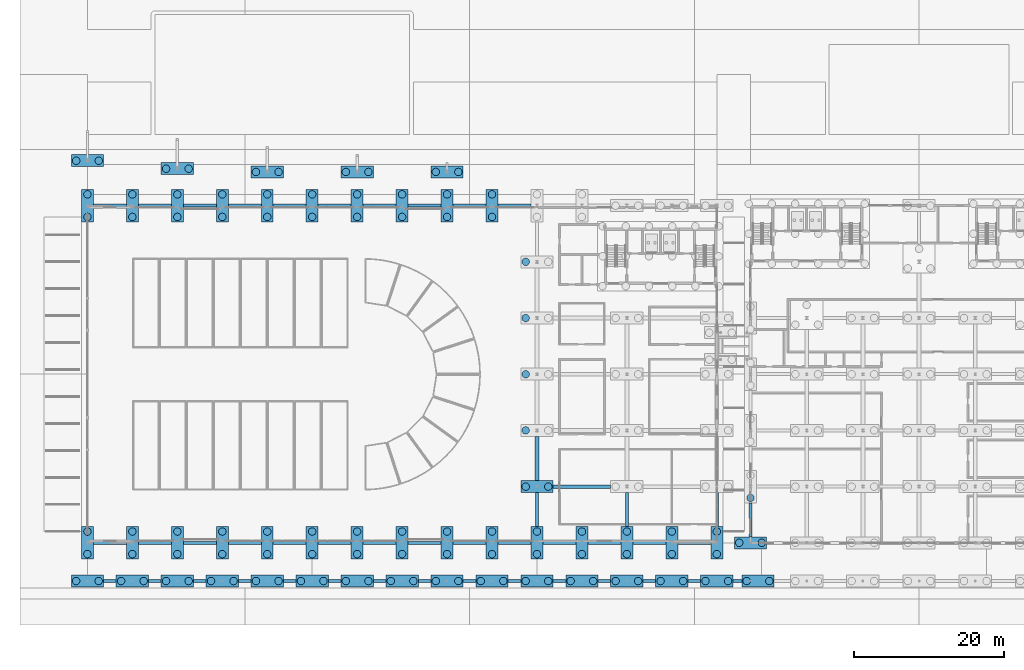
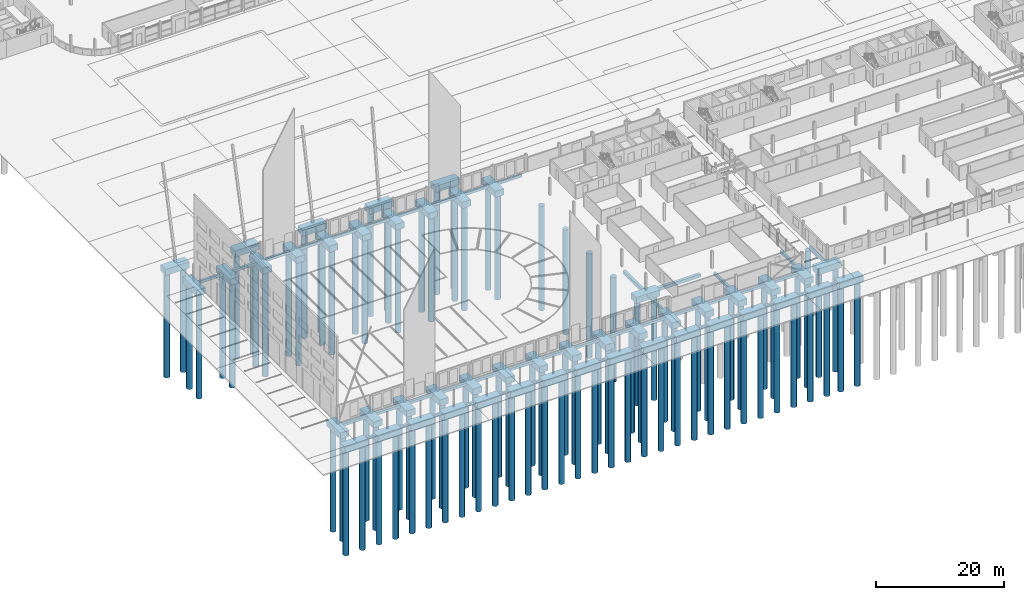
# One storey, part 1 of 130: 101 piles, 93 footings.
"""IFC4 building model written with IfcOpenShell, lengths in metres."""

from ifc_helpers import new_model, si_unit, direction, frame, origin, origin_2d, place, context, subcontext, project, spatial, rectangle, circle, extrude, material, material_profile, profile_set, type_object, element, save


model = new_model("IFC4")

# Units and contexts
model_context = context("Model", 3, precision=1e-05, world=origin(), true_north=direction((0.0, 1.0)))
body_context = subcontext(model_context, "Body", "Model", "MODEL_VIEW")
ifc_project = project(units=[si_unit("LENGTHUNIT", "METRE"), si_unit("AREAUNIT", "SQUARE_METRE"), si_unit("VOLUMEUNIT", "CUBIC_METRE"), si_unit("PLANEANGLEUNIT", "RADIAN"), si_unit("MASSUNIT", "GRAM", prefix="KILO")], contexts=[model_context])

# Site, building, storey
site_placement = place(None, origin())
site = spatial("IfcSite", under=ifc_project, at=site_placement, CompositionType="ELEMENT")
building_placement = place(site_placement, origin())
building = spatial("IfcBuilding", under=site, at=building_placement, Name="Parallax Yard Mobility Hub", CompositionType="ELEMENT")
storey_placement = place(building_placement, origin())
storey = spatial("IfcBuildingStorey", under=building, at=storey_placement, Name="L00", CompositionType="ELEMENT", Elevation=0.0)

# Piles
ifc_material = material(Name="Concrete fc' 28 MPa", Category="concrete")
ifc_material_profile_1 = material_profile(ifc_material, circle(Radius=0.5, at=origin_2d()), Name="Bored pile D1000")
ifc_profile_set_1 = profile_set([ifc_material_profile_1], Name="Concrete fc' 28 MPa")
pile_type = type_object("IfcPileType", Name="Bored pile D1000", PredefinedType="BORED", material=ifc_profile_set_1)
for number, where, z_axis, x_axis, name in (
    (1, (9.0, 5.9951171875, -1.35009765625), (0.0, 0.0, -1.0), (1.0, 0.0, 0.0), "Bored pile 1 of PC1 under column V1 at F1/B"),
    (2, (9.0, 9.0048828125, -1.35009765625), (0.0, 0.0, -1.0), (1.0, 0.0, 0.0), "Bored pile 2 of PC1 under column V1 at F1/B"),
    (3, (9.0, 50.9951171875, -1.35009765625), (0.0, 0.0, -1.0), (1.0, 0.0, 0.0), "Bored pile 1 of PC1 under column V1 at F1/H"),
    (4, (9.0, 54.0048828125, -1.35009765625), (0.0, 0.0, -1.0), (1.0, 0.0, 0.0), "Bored pile 2 of PC1 under column V1 at F1/H"),
    (5, (63.0, 5.9951171875, -1.35009765625), (0.0, 0.0, -1.0), (1.0, 0.0, 0.0), "Bored pile 1 of PC1 under column V1 at F10/B"),
    (6, (63.0, 9.0048828125, -1.35009765625), (0.0, 0.0, -1.0), (1.0, 0.0, 0.0), "Bored pile 2 of PC1 under column V1 at F10/B"),
    (7, (63.0, 50.9951171875, -1.35009765625), (0.0, 0.0, -1.0), (1.0, 0.0, 0.0), "Bored pile 1 of PC1 under column V1 at F10/H"),
    (8, (63.0, 54.0048828125, -1.35009765625), (0.0, 0.0, -1.0), (1.0, 0.0, 0.0), "Bored pile 2 of PC1 under column V1 at F10/H"),
    (9, (69.0, 5.9951171875, -1.35009765625), (0.0, 0.0, -1.0), (1.0, 0.0, 0.0), "Bored pile 1 of PC1 under column V1 at F11/B"),
    (10, (69.0, 9.0048828125, -1.35009765625), (0.0, 0.0, -1.0), (1.0, 0.0, 0.0), "Bored pile 2 of PC1 under column V1 at F11/B"),
    (11, (67.4951171875, 15.0, -1.35009765625), (0.0, 0.0, -1.0), (1.0, 0.0, 0.0), "Bored pile 1 of PC1 under column V1 at F11/C"),
    (12, (70.5048828125, 15.0, -1.35009765625), (0.0, 0.0, -1.0), (1.0, 0.0, 0.0), "Bored pile 2 of PC1 under column V1 at F11/C"),
    (13, (67.4951171875, 22.5, -1.35009765625), (0.0, 0.0, -1.0), (1.0, 0.0, 0.0), "Bored pile 1 of PC1 under column V1 at F11/D"),
    (14, (67.4951171875, 30.0, -1.35009765625), (0.0, 0.0, -1.0), (1.0, 0.0, 0.0), "Bored pile 1 of PC1 under column V1 at F11/E"),
    (15, (67.4951171875, 37.5, -1.35009765625), (0.0, 0.0, -1.0), (1.0, 0.0, 0.0), "Bored pile 1 of PC1 under column V1 at F11/F"),
    (16, (67.4951171875, 45.0, -1.35009765625), (0.0, 0.0, -1.0), (1.0, 0.0, 0.0), "Bored pile 1 of PC1 under column V1 at F11/G"),
    (17, (75.0, 5.9951171875, -1.35009765625), (0.0, 0.0, -1.0), (1.0, 0.0, 0.0), "Bored pile 1 of PC1 under column V1 at F12/B"),
    (18, (75.0, 9.0048828125, -1.35009765625), (0.0, 0.0, -1.0), (1.0, 0.0, 0.0), "Bored pile 2 of PC1 under column V1 at F12/B"),
    (19, (81.0, 5.9951171875, -1.35009765625), (0.0, 0.0, -1.0), (1.0, 0.0, 0.0), "Bored pile 1 of PC1 under column V1 at F13/B"),
    (20, (81.0, 9.0048828125, -1.35009765625), (0.0, 0.0, -1.0), (1.0, 0.0, 0.0), "Bored pile 2 of PC1 under column V1 at F13/B"),
    (21, (87.0, 5.9951171875, -1.35009765625), (0.0, 0.0, -1.0), (1.0, 0.0, 0.0), "Bored pile 1 of PC1 under column V1 at F14/B"),
    (22, (87.0, 9.0048828125, -1.35009765625), (0.0, 0.0, -1.0), (1.0, 0.0, 0.0), "Bored pile 2 of PC1 under column V1 at F14/B"),
    (23, (93.0, 5.9951171875, -1.35009765625), (0.0, 0.0, -1.0), (1.0, 0.0, 0.0), "Bored pile 1 of PC1 under column V1 at F15/B"),
    (24, (93.0, 9.0048828125, -1.35009765625), (0.0, 0.0, -1.0), (1.0, 0.0, 0.0), "Bored pile 2 of PC1 under column V1 at F15/B"),
    (25, (15.0, 5.9951171875, -1.35009765625), (0.0, 0.0, -1.0), (1.0, 0.0, 0.0), "Bored pile 1 of PC1 under column V1 at F2/B"),
    (26, (15.0, 9.0048828125, -1.35009765625), (0.0, 0.0, -1.0), (1.0, 0.0, 0.0), "Bored pile 2 of PC1 under column V1 at F2/B"),
    (27, (15.0, 50.9951171875, -1.35009765625), (0.0, 0.0, -1.0), (1.0, 0.0, 0.0), "Bored pile 1 of PC1 under column V1 at F2/H"),
    (28, (15.0, 54.0048828125, -1.35009765625), (0.0, 0.0, -1.0), (1.0, 0.0, 0.0), "Bored pile 2 of PC1 under column V1 at F2/H"),
    (29, (21.0, 5.9951171875, -1.35009765625), (0.0, 0.0, -1.0), (1.0, 0.0, 0.0), "Bored pile 1 of PC1 under column V1 at F3/B"),
    (30, (21.0, 9.0048828125, -1.35009765625), (0.0, 0.0, -1.0), (1.0, 0.0, 0.0), "Bored pile 2 of PC1 under column V1 at F3/B"),
    (31, (21.0, 50.9951171875, -1.35009765625), (0.0, 0.0, -1.0), (1.0, 0.0, 0.0), "Bored pile 1 of PC1 under column V1 at F3/H"),
    (32, (21.0, 54.0048828125, -1.35009765625), (0.0, 0.0, -1.0), (1.0, 0.0, 0.0), "Bored pile 2 of PC1 under column V1 at F3/H"),
    (33, (27.0, 5.9951171875, -1.35009765625), (0.0, 0.0, -1.0), (1.0, 0.0, 0.0), "Bored pile 1 of PC1 under column V1 at F4/B"),
    (34, (27.0, 9.0048828125, -1.35009765625), (0.0, 0.0, -1.0), (1.0, 0.0, 0.0), "Bored pile 2 of PC1 under column V1 at F4/B"),
    (35, (27.0, 50.9951171875, -1.35009765625), (0.0, 0.0, -1.0), (1.0, 0.0, 0.0), "Bored pile 1 of PC1 under column V1 at F4/H"),
    (36, (27.0, 54.0048828125, -1.35009765625), (0.0, 0.0, -1.0), (1.0, 0.0, 0.0), "Bored pile 2 of PC1 under column V1 at F4/H"),
    (37, (33.0, 5.9951171875, -1.35009765625), (0.0, 0.0, -1.0), (1.0, 0.0, 0.0), "Bored pile 1 of PC1 under column V1 at F5/B"),
    (38, (33.0, 9.0048828125, -1.35009765625), (0.0, 0.0, -1.0), (1.0, 0.0, 0.0), "Bored pile 2 of PC1 under column V1 at F5/B"),
    (39, (33.0, 50.9951171875, -1.35009765625), (0.0, 0.0, -1.0), (1.0, 0.0, 0.0), "Bored pile 1 of PC1 under column V1 at F5/H"),
    (40, (33.0, 54.0048828125, -1.35009765625), (0.0, 0.0, -1.0), (1.0, 0.0, 0.0), "Bored pile 2 of PC1 under column V1 at F5/H"),
    (41, (39.0, 5.9951171875, -1.35009765625), (0.0, 0.0, -1.0), (1.0, 0.0, 0.0), "Bored pile 1 of PC1 under column V1 at F6/B"),
    (42, (39.0, 9.0048828125, -1.35009765625), (0.0, 0.0, -1.0), (1.0, 0.0, 0.0), "Bored pile 2 of PC1 under column V1 at F6/B"),
    (43, (39.0, 50.9951171875, -1.35009765625), (0.0, 0.0, -1.0), (1.0, 0.0, 0.0), "Bored pile 1 of PC1 under column V1 at F6/H"),
    (44, (39.0, 54.0048828125, -1.35009765625), (0.0, 0.0, -1.0), (1.0, 0.0, 0.0), "Bored pile 2 of PC1 under column V1 at F6/H"),
    (45, (45.0, 5.9951171875, -1.35009765625), (0.0, 0.0, -1.0), (1.0, 0.0, 0.0), "Bored pile 1 of PC1 under column V1 at F7/B"),
    (46, (45.0, 9.0048828125, -1.35009765625), (0.0, 0.0, -1.0), (1.0, 0.0, 0.0), "Bored pile 2 of PC1 under column V1 at F7/B"),
    (47, (45.0, 50.9951171875, -1.35009765625), (0.0, 0.0, -1.0), (1.0, 0.0, 0.0), "Bored pile 1 of PC1 under column V1 at F7/H"),
    (48, (45.0, 54.0048828125, -1.35009765625), (0.0, 0.0, -1.0), (1.0, 0.0, 0.0), "Bored pile 2 of PC1 under column V1 at F7/H"),
    (49, (51.0, 5.9951171875, -1.35009765625), (0.0, 0.0, -1.0), (1.0, 0.0, 0.0), "Bored pile 1 of PC1 under column V1 at F8/B"),
    (50, (51.0, 9.0048828125, -1.35009765625), (0.0, 0.0, -1.0), (1.0, 0.0, 0.0), "Bored pile 2 of PC1 under column V1 at F8/B"),
    (51, (51.0, 50.9951171875, -1.35009765625), (0.0, 0.0, -1.0), (1.0, 0.0, 0.0), "Bored pile 1 of PC1 under column V1 at F8/H"),
    (52, (51.0, 54.0048828125, -1.35009765625), (0.0, 0.0, -1.0), (1.0, 0.0, 0.0), "Bored pile 2 of PC1 under column V1 at F8/H"),
    (53, (57.0, 5.9951171875, -1.35009765625), (0.0, 0.0, -1.0), (1.0, 0.0, 0.0), "Bored pile 1 of PC1 under column V1 at F9/B"),
    (54, (57.0, 9.0048828125, -1.35009765625), (0.0, 0.0, -1.0), (1.0, 0.0, 0.0), "Bored pile 2 of PC1 under column V1 at F9/B"),
    (55, (57.0, 50.9951171875, -1.35009765625), (0.0, 0.0, -1.0), (1.0, 0.0, 0.0), "Bored pile 1 of PC1 under column V1 at F9/H"),
    (56, (57.0, 54.0048828125, -1.35009765625), (0.0, 0.0, -1.0), (1.0, 0.0, 0.0), "Bored pile 2 of PC1 under column V1 at F9/H"),
    (57, (95.9951171875, 7.5, -1.35009765625), (0.0, 0.0, -1.0), (1.0, 0.0, 0.0), "Bored pile 1 of PC1 under column V6 at B/14"),
    (58, (99.0048828125, 7.5, -1.35009765625), (0.0, 0.0, -1.0), (1.0, 0.0, 0.0), "Bored pile 2 of PC1 under column V6 at B/14"),
    (59, (97.5, 13.4951171875, -1.35009765625), (0.0, 0.0, -1.0), (1.0, 0.0, 0.0), "Bored pile 1 of PC1 under column V6 at C/14"),
    (60, (7.4951171875, 2.39990234375, -1.35009765625), (0.0, 0.0, -1.0), (1.0, 0.0, 0.0), "Bored pile 1 of PC1 under column RT at AR-V1-C01-L00"),
    (61, (10.5048828125, 2.39990234375, -1.35009765625), (0.0, 0.0, -1.0), (1.0, 0.0, 0.0), "Bored pile 2 of PC1 under column RT at AR-V1-C01-L00"),
    (62, (13.4951171875, 2.39990234375, -1.35009765625), (0.0, 0.0, -1.0), (1.0, 0.0, 0.0), "Bored pile 1 of PC1 under column RT at AR-V1-C02-L00"),
    (63, (16.5048828125, 2.39990234375, -1.35009765625), (0.0, 0.0, -1.0), (1.0, 0.0, 0.0), "Bored pile 2 of PC1 under column RT at AR-V1-C02-L00"),
    (64, (19.4951171875, 2.39990234375, -1.35009765625), (0.0, 0.0, -1.0), (1.0, 0.0, 0.0), "Bored pile 1 of PC1 under column RT at AR-V1-C03-L00"),
    (65, (22.5048828125, 2.39990234375, -1.35009765625), (0.0, 0.0, -1.0), (1.0, 0.0, 0.0), "Bored pile 2 of PC1 under column RT at AR-V1-C03-L00"),
    (66, (25.4951171875, 2.39990234375, -1.35009765625), (0.0, 0.0, -1.0), (1.0, 0.0, 0.0), "Bored pile 1 of PC1 under column RT at AR-V1-C04-L00"),
    (67, (28.5048828125, 2.39990234375, -1.35009765625), (0.0, 0.0, -1.0), (1.0, 0.0, 0.0), "Bored pile 2 of PC1 under column RT at AR-V1-C04-L00"),
    (68, (31.4951171875, 2.39990234375, -1.35009765625), (0.0, 0.0, -1.0), (1.0, 0.0, 0.0), "Bored pile 1 of PC1 under column RT at AR-V1-C05-L00"),
    (69, (34.5048828125, 2.39990234375, -1.35009765625), (0.0, 0.0, -1.0), (1.0, 0.0, 0.0), "Bored pile 2 of PC1 under column RT at AR-V1-C05-L00"),
    (70, (37.4951171875, 2.39990234375, -1.35009765625), (0.0, 0.0, -1.0), (1.0, 0.0, 0.0), "Bored pile 1 of PC1 under column RT at AR-V1-C06-L00"),
    (71, (40.5048828125, 2.39990234375, -1.35009765625), (0.0, 0.0, -1.0), (1.0, 0.0, 0.0), "Bored pile 2 of PC1 under column RT at AR-V1-C06-L00"),
    (72, (43.4951171875, 2.39990234375, -1.35009765625), (0.0, 0.0, -1.0), (1.0, 0.0, 0.0), "Bored pile 1 of PC1 under column RT at AR-V1-C07-L00"),
    (73, (46.5048828125, 2.39990234375, -1.35009765625), (0.0, 0.0, -1.0), (1.0, 0.0, 0.0), "Bored pile 2 of PC1 under column RT at AR-V1-C07-L00"),
    (74, (49.4951171875, 2.39990234375, -1.35009765625), (0.0, 0.0, -1.0), (1.0, 0.0, 0.0), "Bored pile 1 of PC1 under column RT at AR-V1-C08-L00"),
    (75, (52.5048828125, 2.39990234375, -1.35009765625), (0.0, 0.0, -1.0), (1.0, 0.0, 0.0), "Bored pile 2 of PC1 under column RT at AR-V1-C08-L00"),
    (76, (55.4951171875, 2.39990234375, -1.35009765625), (0.0, 0.0, -1.0), (1.0, 0.0, 0.0), "Bored pile 1 of PC1 under column RT at AR-V1-C09-L00"),
    (77, (58.5048828125, 2.39990234375, -1.35009765625), (0.0, 0.0, -1.0), (1.0, 0.0, 0.0), "Bored pile 2 of PC1 under column RT at AR-V1-C09-L00"),
    (78, (61.4951171875, 2.39990234375, -1.35009765625), (0.0, 0.0, -1.0), (1.0, 0.0, 0.0), "Bored pile 1 of PC1 under column RT at AR-V1-C10-L00"),
    (79, (64.5048828125, 2.39990234375, -1.35009765625), (0.0, 0.0, -1.0), (1.0, 0.0, 0.0), "Bored pile 2 of PC1 under column RT at AR-V1-C10-L00"),
    (80, (67.4951171875, 2.39990234375, -1.35009765625), (0.0, 0.0, -1.0), (1.0, 0.0, 0.0), "Bored pile 1 of PC1 under column RT at AR-V1-C11-L00"),
    (81, (70.5048828125, 2.39990234375, -1.35009765625), (0.0, 0.0, -1.0), (1.0, 0.0, 0.0), "Bored pile 2 of PC1 under column RT at AR-V1-C11-L00"),
    (82, (73.4951171875, 2.39990234375, -1.35009765625), (0.0, 0.0, -1.0), (1.0, 0.0, 0.0), "Bored pile 1 of PC1 under column RT at AR-V1-C12-L00"),
    (83, (76.5048828125, 2.39990234375, -1.35009765625), (0.0, 0.0, -1.0), (1.0, 0.0, 0.0), "Bored pile 2 of PC1 under column RT at AR-V1-C12-L00"),
    (84, (79.4951171875, 2.39990234375, -1.35009765625), (0.0, 0.0, -1.0), (1.0, 0.0, 0.0), "Bored pile 1 of PC1 under column RT at AR-V1-C13-L00"),
    (85, (82.5048828125, 2.39990234375, -1.35009765625), (0.0, 0.0, -1.0), (1.0, 0.0, 0.0), "Bored pile 2 of PC1 under column RT at AR-V1-C13-L00"),
    (86, (85.4951171875, 2.39990234375, -1.35009765625), (0.0, 0.0, -1.0), (1.0, 0.0, 0.0), "Bored pile 1 of PC1 under column RT at AR-V1-C14-L00"),
    (87, (88.5048828125, 2.39990234375, -1.35009765625), (0.0, 0.0, -1.0), (1.0, 0.0, 0.0), "Bored pile 2 of PC1 under column RT at AR-V1-C14-L00"),
    (88, (91.4951171875, 2.39990234375, -1.35009765625), (0.0, 0.0, -1.0), (1.0, 0.0, 0.0), "Bored pile 1 of PC1 under column RT at AR-V1-C15-L00"),
    (89, (94.5048828125, 2.39990234375, -1.35009765625), (0.0, 0.0, -1.0), (1.0, 0.0, 0.0), "Bored pile 2 of PC1 under column RT at AR-V1-C15-L00"),
    (90, (96.9951171875, 2.39990234375, -1.35009765625), (0.0, 0.0, -1.0), (1.0, 0.0, 0.0), "Bored pile 1 of PC1 under column RT at AR-V6-C01-L00"),
    (91, (100.0048828125, 2.39990234375, -1.35009765625), (0.0, 0.0, -1.0), (1.0, 0.0, 0.0), "Bored pile 2 of PC1 under column RT at AR-V6-C01-L00"),
    (92, (7.4951171875, 58.5, -1.35009765625), (0.0, 0.0, -1.0), (1.0, 0.0, 0.0), "Bored pile 1 of PC1 under column RT at V1-ST-F1-S"),
    (93, (10.5048828125, 58.5, -1.35009765625), (0.0, 0.0, -1.0), (1.0, 0.0, 0.0), "Bored pile 2 of PC1 under column RT at V1-ST-F1-S"),
    (94, (19.4951171875, 57.4287109375, -1.35009765625), (0.0, 0.0, -1.0), (1.0, 0.0, 0.0), "Bored pile 1 of PC1 under column RT at V1-ST-F3-S"),
    (95, (22.5048828125, 57.4287109375, -1.35009765625), (0.0, 0.0, -1.0), (1.0, 0.0, 0.0), "Bored pile 2 of PC1 under column RT at V1-ST-F3-S"),
    (96, (31.4951171875, 57.0, -1.35009765625), (0.0, 0.0, -1.0), (1.0, 0.0, 0.0), "Bored pile 1 of PC1 under column RT at V1-ST-F5-S"),
    (97, (34.5048828125, 57.0, -1.35009765625), (0.0, 0.0, -1.0), (1.0, 0.0, 0.0), "Bored pile 2 of PC1 under column RT at V1-ST-F5-S"),
    (98, (43.4951171875, 57.0, -1.35009765625), (0.0, 0.0, -1.0), (1.0, 0.0, 0.0), "Bored pile 1 of PC1 under column RT at V1-ST-F7-S"),
    (99, (46.5048828125, 57.0, -1.35009765625), (0.0, 0.0, -1.0), (1.0, 0.0, 0.0), "Bored pile 2 of PC1 under column RT at V1-ST-F7-S"),
    (100, (55.4951171875, 57.0, -1.35009765625), (0.0, 0.0, -1.0), (1.0, 0.0, 0.0), "Bored pile 1 of PC1 under column RT at V1-ST-F9-S"),
    (101, (58.5048828125, 57.0, -1.35009765625), (0.0, 0.0, -1.0), (1.0, 0.0, 0.0), "Bored pile 2 of PC1 under column RT at V1-ST-F9-S"),
):
    element("IfcPile", number, at=place(storey_placement, frame(where, z_axis=z_axis, x_axis=x_axis)), inside=storey, type_object=pile_type, Name=name, PredefinedType="BORED", context=body_context, shape_type="SweptSolid", body=[
        extrude(circle(Radius=0.5, at=origin_2d()), origin(), (0.0, 0.0, 1.0), 20.0),
    ])

# Footings
ifc_material_profile_2 = material_profile(ifc_material, rectangle(XDim=0.39990234375, YDim=0.5, at=origin_2d()), Name="Grade beam 400x500")
ifc_profile_set_2 = profile_set([ifc_material_profile_2], Name="Concrete fc' 28 MPa")
footing_type_1 = type_object("IfcFootingType", Name="Grade beam 400x500", PredefinedType="STRIP_FOOTING", material=ifc_profile_set_2)
for number, where, z_axis, x_axis, name in (
    (102, (9.800048828125, 7.5, -0.5), (1.0, 0.0, 0.0), (0.0, 1.0, 0.0), "Grade beam GB1 between F1/B and F2/B of bus and taxi deck"),
    (103, (9.800048828125, 52.5, -0.5), (1.0, 0.0, 0.0), (0.0, 1.0, 0.0), "Grade beam GB1 between F1/H and F2/H of bus and taxi deck"),
    (104, (63.800048828125, 7.5, -0.5), (1.0, 0.0, 0.0), (0.0, 1.0, 0.0), "Grade beam GB1 between F10/B and F11/B of bus and taxi deck"),
    (105, (62.199951171875, 7.5, -0.5), (-1.0, 0.0, 0.0), (0.0, -1.0, 0.0), "Grade beam GB1 between F10/B and F9/B of bus and taxi deck"),
    (106, (63.800048828125, 52.5, -0.5), (1.0, 0.0, 0.0), (0.0, 1.0, 0.0), "Grade beam GB1 between F10/H and F11/H of bus and taxi deck"),
    (107, (62.199951171875, 52.5, -0.5), (-1.0, 0.0, 0.0), (0.0, -1.0, 0.0), "Grade beam GB1 between F10/H and F9/H of bus and taxi deck"),
):
    element("IfcFooting", number, at=place(storey_placement, frame(where, z_axis=z_axis, x_axis=x_axis)), inside=storey, type_object=footing_type_1, Name=name, PredefinedType="STRIP_FOOTING", context=body_context, shape_type="SweptSolid", body=[
        extrude(rectangle(XDim=0.39990234375, YDim=0.5, at=origin_2d()), origin(), (0.0, 0.0, 1.0), 4.39990234375),
    ])
footing_1_placement = place(storey_placement, frame((69.0, 9.655029296875, -0.5), z_axis=(0.0, 1.0, 0.0), x_axis=(-1.0, 0.0, 0.0)))
element("IfcFooting", 108, at=footing_1_placement, inside=storey, type_object=footing_type_1, Name="Grade beam GB1 between F11/B and F11/C of bus and taxi deck", PredefinedType="STRIP_FOOTING", context=body_context, shape_type="SweptSolid", body=[
    extrude(rectangle(XDim=0.39990234375, YDim=0.5, at=origin_2d()), origin(), (0.0, 0.0, 1.0), 4.544921875),
])
for number, where, z_axis, x_axis, name in (
    (109, (69.800048828125, 7.5, -0.5), (1.0, 0.0, 0.0), (0.0, 1.0, 0.0), "Grade beam GB1 between F11/B and F12/B of bus and taxi deck"),
    (110, (75.800048828125, 7.5, -0.5), (1.0, 0.0, 0.0), (0.0, 1.0, 0.0), "Grade beam GB1 between F12/B and F13/B of bus and taxi deck"),
):
    element("IfcFooting", number, at=place(storey_placement, frame(where, z_axis=z_axis, x_axis=x_axis)), inside=storey, type_object=footing_type_1, Name=name, PredefinedType="STRIP_FOOTING", context=body_context, shape_type="SweptSolid", body=[
        extrude(rectangle(XDim=0.39990234375, YDim=0.5, at=origin_2d()), origin(), (0.0, 0.0, 1.0), 4.39990234375),
    ])
footing_2_placement = place(storey_placement, frame((81.0, 9.655029296875, -0.5), z_axis=(0.0, 1.0, 0.0), x_axis=(-1.0, 0.0, 0.0)))
element("IfcFooting", 111, at=footing_2_placement, inside=storey, type_object=footing_type_1, Name="Grade beam GB1 between F13/B and F13/C of bus and taxi deck", PredefinedType="STRIP_FOOTING", context=body_context, shape_type="SweptSolid", body=[
    extrude(rectangle(XDim=0.39990234375, YDim=0.5, at=origin_2d()), origin(), (0.0, 0.0, 1.0), 4.544921875),
])
for number, where, z_axis, x_axis, name in (
    (112, (81.800048828125, 7.5, -0.5), (1.0, 0.0, 0.0), (0.0, 1.0, 0.0), "Grade beam GB1 between F13/B and F14/B of bus and taxi deck"),
    (113, (87.800048828125, 7.5, -0.5), (1.0, 0.0, 0.0), (0.0, 1.0, 0.0), "Grade beam GB1 between F14/B and F15/B of bus and taxi deck"),
):
    element("IfcFooting", number, at=place(storey_placement, frame(where, z_axis=z_axis, x_axis=x_axis)), inside=storey, type_object=footing_type_1, Name=name, PredefinedType="STRIP_FOOTING", context=body_context, shape_type="SweptSolid", body=[
        extrude(rectangle(XDim=0.39990234375, YDim=0.5, at=origin_2d()), origin(), (0.0, 0.0, 1.0), 4.39990234375),
    ])
footing_3_placement = place(storey_placement, frame((93.0, 9.655029296875, -0.5), z_axis=(0.0, 1.0, 0.0), x_axis=(-1.0, 0.0, 0.0)))
element("IfcFooting", 114, at=footing_3_placement, inside=storey, type_object=footing_type_1, Name="Grade beam GB1 between F15/B and F15/C of bus and taxi deck", PredefinedType="STRIP_FOOTING", context=body_context, shape_type="SweptSolid", body=[
    extrude(rectangle(XDim=0.39990234375, YDim=0.5, at=origin_2d()), origin(), (0.0, 0.0, 1.0), 4.544921875),
])
for number, where, z_axis, x_axis, name in (
    (115, (15.800048828125, 7.5, -0.5), (1.0, 0.0, 0.0), (0.0, 1.0, 0.0), "Grade beam GB1 between F2/B and F3/B of bus and taxi deck"),
    (116, (15.800048828125, 52.5, -0.5), (1.0, 0.0, 0.0), (0.0, 1.0, 0.0), "Grade beam GB1 between F2/H and F3/H of bus and taxi deck"),
    (117, (21.800048828125, 7.5, -0.5), (1.0, 0.0, 0.0), (0.0, 1.0, 0.0), "Grade beam GB1 between F3/B and F4/B of bus and taxi deck"),
    (118, (21.800048828125, 52.5, -0.5), (1.0, 0.0, 0.0), (0.0, 1.0, 0.0), "Grade beam GB1 between F3/H and F4/H of bus and taxi deck"),
    (119, (27.800048828125, 7.5, -0.5), (1.0, 0.0, 0.0), (0.0, 1.0, 0.0), "Grade beam GB1 between F4/B and F5/B of bus and taxi deck"),
    (120, (27.800048828125, 52.5, -0.5), (1.0, 0.0, 0.0), (0.0, 1.0, 0.0), "Grade beam GB1 between F4/H and F5/H of bus and taxi deck"),
    (121, (33.800048828125, 7.5, -0.5), (1.0, 0.0, 0.0), (0.0, 1.0, 0.0), "Grade beam GB1 between F5/B and F6/B of bus and taxi deck"),
    (122, (33.800048828125, 52.5, -0.5), (1.0, 0.0, 0.0), (0.0, 1.0, 0.0), "Grade beam GB1 between F5/H and F6/H of bus and taxi deck"),
    (123, (39.800048828125, 7.5, -0.5), (1.0, 0.0, 0.0), (0.0, 1.0, 0.0), "Grade beam GB1 between F6/B and F7/B of bus and taxi deck"),
    (124, (39.800048828125, 52.5, -0.5), (1.0, 0.0, 0.0), (0.0, 1.0, 0.0), "Grade beam GB1 between F6/H and F7/H of bus and taxi deck"),
    (125, (45.800048828125, 7.5, -0.5), (1.0, 0.0, 0.0), (0.0, 1.0, 0.0), "Grade beam GB1 between F7/B and F8/B of bus and taxi deck"),
    (126, (45.800048828125, 52.5, -0.5), (1.0, 0.0, 0.0), (0.0, 1.0, 0.0), "Grade beam GB1 between F7/H and F8/H of bus and taxi deck"),
    (127, (51.800048828125, 7.5, -0.5), (1.0, 0.0, 0.0), (0.0, 1.0, 0.0), "Grade beam GB1 between F8/B and F9/B of bus and taxi deck"),
    (128, (51.800048828125, 52.5, -0.5), (1.0, 0.0, 0.0), (0.0, 1.0, 0.0), "Grade beam GB1 between F8/H and F9/H of bus and taxi deck"),
):
    element("IfcFooting", number, at=place(storey_placement, frame(where, z_axis=z_axis, x_axis=x_axis)), inside=storey, type_object=footing_type_1, Name=name, PredefinedType="STRIP_FOOTING", context=body_context, shape_type="SweptSolid", body=[
        extrude(rectangle(XDim=0.39990234375, YDim=0.5, at=origin_2d()), origin(), (0.0, 0.0, 1.0), 4.39990234375),
    ])
footing_4_placement = place(storey_placement, frame((97.5, 8.300048828125, -0.5), z_axis=(0.0, 1.0, 0.0), x_axis=(-1.0, 0.0, 0.0)))
element("IfcFooting", 129, at=footing_4_placement, inside=storey, type_object=footing_type_1, Name="Grade beam GB1 between B/14 and C/14 of mobility service centre and workshops", PredefinedType="STRIP_FOOTING", context=body_context, shape_type="SweptSolid", body=[
    extrude(rectangle(XDim=0.39990234375, YDim=0.5, at=origin_2d()), origin(), (0.0, 0.0, 1.0), 4.544921875),
])
for number, where, z_axis, x_axis, name in (
    (130, (11.155029296875, 2.39990234375, -0.5), (1.0, 0.0, 0.0), (0.0, 1.0, 0.0), "Grade beam GB1 between two column caps of the roof and arcade columns"),
    (131, (17.155029296875, 2.39990234375, -0.5), (1.0, 0.0, 0.0), (0.0, 1.0, 0.0), "Grade beam GB1 between two column caps of the roof and arcade columns"),
    (132, (23.155029296875, 2.39990234375, -0.5), (1.0, 0.0, 0.0), (0.0, 1.0, 0.0), "Grade beam GB1 between two column caps of the roof and arcade columns"),
    (133, (29.155029296875, 2.39990234375, -0.5), (1.0, 0.0, 0.0), (0.0, 1.0, 0.0), "Grade beam GB1 between two column caps of the roof and arcade columns"),
    (134, (35.155029296875, 2.39990234375, -0.5), (1.0, 0.0, 0.0), (0.0, 1.0, 0.0), "Grade beam GB1 between two column caps of the roof and arcade columns"),
    (135, (41.155029296875, 2.39990234375, -0.5), (1.0, 0.0, 0.0), (0.0, 1.0, 0.0), "Grade beam GB1 between two column caps of the roof and arcade columns"),
    (136, (47.155029296875, 2.39990234375, -0.5), (1.0, 0.0, 0.0), (0.0, 1.0, 0.0), "Grade beam GB1 between two column caps of the roof and arcade columns"),
    (137, (53.155029296875, 2.39990234375, -0.5), (1.0, 0.0, 0.0), (0.0, 1.0, 0.0), "Grade beam GB1 between two column caps of the roof and arcade columns"),
    (138, (59.155029296875, 2.39990234375, -0.5), (1.0, 0.0, 0.0), (0.0, 1.0, 0.0), "Grade beam GB1 between two column caps of the roof and arcade columns"),
    (139, (65.155029296875, 2.39990234375, -0.5), (1.0, 0.0, 0.0), (0.0, 1.0, 0.0), "Grade beam GB1 between two column caps of the roof and arcade columns"),
    (140, (71.155029296875, 2.39990234375, -0.5), (1.0, 0.0, 0.0), (0.0, 1.0, 0.0), "Grade beam GB1 between two column caps of the roof and arcade columns"),
    (141, (77.155029296875, 2.39990234375, -0.5), (1.0, 0.0, 0.0), (0.0, 1.0, 0.0), "Grade beam GB1 between two column caps of the roof and arcade columns"),
    (142, (83.155029296875, 2.39990234375, -0.5), (1.0, 0.0, 0.0), (0.0, 1.0, 0.0), "Grade beam GB1 between two column caps of the roof and arcade columns"),
    (143, (89.155029296875, 2.39990234375, -0.5), (1.0, 0.0, 0.0), (0.0, 1.0, 0.0), "Grade beam GB1 between two column caps of the roof and arcade columns"),
):
    element("IfcFooting", number, at=place(storey_placement, frame(where, z_axis=z_axis, x_axis=x_axis)), inside=storey, type_object=footing_type_1, Name=name, PredefinedType="STRIP_FOOTING", context=body_context, shape_type="SweptSolid", body=[
        extrude(rectangle(XDim=0.39990234375, YDim=0.5, at=origin_2d()), origin(), (0.0, 0.0, 1.0), 1.68994140625),
    ])
footing_5_placement = place(storey_placement, frame((95.155029296875, 2.39990234375, -0.5), z_axis=(1.0, 0.0, 0.0), x_axis=(0.0, 1.0, 0.0)))
element("IfcFooting", 144, at=footing_5_placement, inside=storey, type_object=footing_type_1, Name="Grade beam GB1 between two column caps of the roof and arcade columns", PredefinedType="STRIP_FOOTING", context=body_context, shape_type="SweptSolid", body=[
    extrude(rectangle(XDim=0.39990234375, YDim=0.5, at=origin_2d()), origin(), (0.0, 0.0, 1.0), 1.18994140625),
])
ifc_material_profile_3 = material_profile(ifc_material, rectangle(XDim=0.5, YDim=0.60009765625, at=origin_2d()), Name="Grade beam 500x600")
ifc_profile_set_3 = profile_set([ifc_material_profile_3], Name="Concrete fc' 28 MPa")
footing_type_2 = type_object("IfcFootingType", Name="Grade beam 500x600", PredefinedType="STRIP_FOOTING", material=ifc_profile_set_3)
footing_6_placement = place(storey_placement, frame((69.0, 15.800048828125, -0.550048828125), z_axis=(0.0, 1.0, 0.0), x_axis=(-1.0, 0.0, 0.0)))
element("IfcFooting", 145, at=footing_6_placement, inside=storey, type_object=footing_type_2, Name="Grade beam GB2 between F11/C and F11/D of bus and taxi deck", PredefinedType="STRIP_FOOTING", context=body_context, shape_type="SweptSolid", body=[
    extrude(rectangle(XDim=0.5, YDim=0.60009765625, at=origin_2d()), origin(), (0.0, 0.0, 1.0), 5.89990234375),
])
footing_7_placement = place(storey_placement, frame((71.155029296875, 15.0, -0.550048828125), z_axis=(1.0, 0.0, 0.0), x_axis=(0.0, 1.0, 0.0)))
element("IfcFooting", 146, at=footing_7_placement, inside=storey, type_object=footing_type_2, Name="Grade beam GB2 between F11/C and F13/C of bus and taxi deck", PredefinedType="STRIP_FOOTING", context=body_context, shape_type="SweptSolid", body=[
    extrude(rectangle(XDim=0.5, YDim=0.60009765625, at=origin_2d()), origin(), (0.0, 0.0, 1.0), 7.68994140625),
])
footing_type_3 = type_object("IfcFootingType", Name="Pile cap 4310x1600x1200", PredefinedType="PILE_CAP", material=ifc_material)
for number, where, z_axis, x_axis, name in (
    (147, (9.0, 7.5, -1.4501953125), (0.0, 0.0, 1.0), (0.0, 1.0, 0.0), "Pile cap PC1 under column V1 at F1/B"),
    (148, (9.0, 52.5, -1.4501953125), (0.0, 0.0, 1.0), (0.0, 1.0, 0.0), "Pile cap PC1 under column V1 at F1/H"),
    (149, (63.0, 7.5, -1.4501953125), (0.0, 0.0, 1.0), (0.0, 1.0, 0.0), "Pile cap PC1 under column V1 at F10/B"),
    (150, (63.0, 52.5, -1.4501953125), (0.0, 0.0, 1.0), (0.0, 1.0, 0.0), "Pile cap PC1 under column V1 at F10/H"),
    (151, (69.0, 7.5, -1.4501953125), (0.0, 0.0, 1.0), (0.0, 1.0, 0.0), "Pile cap PC1 under column V1 at F11/B"),
    (152, (69.0, 15.0, -1.4501953125), (0.0, 0.0, 1.0), (1.0, 0.0, 0.0), "Pile cap PC1 under column V1 at F11/C"),
    (153, (75.0, 7.5, -1.4501953125), (0.0, 0.0, 1.0), (0.0, 1.0, 0.0), "Pile cap PC1 under column V1 at F12/B"),
    (154, (81.0, 7.5, -1.4501953125), (0.0, 0.0, 1.0), (0.0, 1.0, 0.0), "Pile cap PC1 under column V1 at F13/B"),
    (155, (87.0, 7.5, -1.4501953125), (0.0, 0.0, 1.0), (0.0, 1.0, 0.0), "Pile cap PC1 under column V1 at F14/B"),
    (156, (93.0, 7.5, -1.4501953125), (0.0, 0.0, 1.0), (0.0, 1.0, 0.0), "Pile cap PC1 under column V1 at F15/B"),
    (157, (15.0, 7.5, -1.4501953125), (0.0, 0.0, 1.0), (0.0, 1.0, 0.0), "Pile cap PC1 under column V1 at F2/B"),
    (158, (15.0, 52.5, -1.4501953125), (0.0, 0.0, 1.0), (0.0, 1.0, 0.0), "Pile cap PC1 under column V1 at F2/H"),
    (159, (21.0, 7.5, -1.4501953125), (0.0, 0.0, 1.0), (0.0, 1.0, 0.0), "Pile cap PC1 under column V1 at F3/B"),
    (160, (21.0, 52.5, -1.4501953125), (0.0, 0.0, 1.0), (0.0, 1.0, 0.0), "Pile cap PC1 under column V1 at F3/H"),
    (161, (27.0, 7.5, -1.4501953125), (0.0, 0.0, 1.0), (0.0, 1.0, 0.0), "Pile cap PC1 under column V1 at F4/B"),
    (162, (27.0, 52.5, -1.4501953125), (0.0, 0.0, 1.0), (0.0, 1.0, 0.0), "Pile cap PC1 under column V1 at F4/H"),
    (163, (33.0, 7.5, -1.4501953125), (0.0, 0.0, 1.0), (0.0, 1.0, 0.0), "Pile cap PC1 under column V1 at F5/B"),
    (164, (33.0, 52.5, -1.4501953125), (0.0, 0.0, 1.0), (0.0, 1.0, 0.0), "Pile cap PC1 under column V1 at F5/H"),
    (165, (39.0, 7.5, -1.4501953125), (0.0, 0.0, 1.0), (0.0, 1.0, 0.0), "Pile cap PC1 under column V1 at F6/B"),
    (166, (39.0, 52.5, -1.4501953125), (0.0, 0.0, 1.0), (0.0, 1.0, 0.0), "Pile cap PC1 under column V1 at F6/H"),
    (167, (45.0, 7.5, -1.4501953125), (0.0, 0.0, 1.0), (0.0, 1.0, 0.0), "Pile cap PC1 under column V1 at F7/B"),
    (168, (45.0, 52.5, -1.4501953125), (0.0, 0.0, 1.0), (0.0, 1.0, 0.0), "Pile cap PC1 under column V1 at F7/H"),
    (169, (51.0, 7.5, -1.4501953125), (0.0, 0.0, 1.0), (0.0, 1.0, 0.0), "Pile cap PC1 under column V1 at F8/B"),
    (170, (51.0, 52.5, -1.4501953125), (0.0, 0.0, 1.0), (0.0, 1.0, 0.0), "Pile cap PC1 under column V1 at F8/H"),
    (171, (57.0, 7.5, -1.4501953125), (0.0, 0.0, 1.0), (0.0, 1.0, 0.0), "Pile cap PC1 under column V1 at F9/B"),
    (172, (57.0, 52.5, -1.4501953125), (0.0, 0.0, 1.0), (0.0, 1.0, 0.0), "Pile cap PC1 under column V1 at F9/H"),
    (173, (97.5, 7.5, -1.4501953125), (0.0, 0.0, 1.0), (1.0, 0.0, 0.0), "Pile cap PC1 under column V6 at B/14"),
    (174, (9.0, 2.39990234375, -1.4501953125), (0.0, 0.0, 1.0), (1.0, 0.0, 0.0), "Pile cap PC1 under column RT at AR-V1-C01-L00"),
    (175, (15.0, 2.39990234375, -1.4501953125), (0.0, 0.0, 1.0), (1.0, 0.0, 0.0), "Pile cap PC1 under column RT at AR-V1-C02-L00"),
    (176, (21.0, 2.39990234375, -1.4501953125), (0.0, 0.0, 1.0), (1.0, 0.0, 0.0), "Pile cap PC1 under column RT at AR-V1-C03-L00"),
    (177, (27.0, 2.39990234375, -1.4501953125), (0.0, 0.0, 1.0), (1.0, 0.0, 0.0), "Pile cap PC1 under column RT at AR-V1-C04-L00"),
    (178, (33.0, 2.39990234375, -1.4501953125), (0.0, 0.0, 1.0), (1.0, 0.0, 0.0), "Pile cap PC1 under column RT at AR-V1-C05-L00"),
    (179, (39.0, 2.39990234375, -1.4501953125), (0.0, 0.0, 1.0), (1.0, 0.0, 0.0), "Pile cap PC1 under column RT at AR-V1-C06-L00"),
    (180, (45.0, 2.39990234375, -1.4501953125), (0.0, 0.0, 1.0), (1.0, 0.0, 0.0), "Pile cap PC1 under column RT at AR-V1-C07-L00"),
    (181, (51.0, 2.39990234375, -1.4501953125), (0.0, 0.0, 1.0), (1.0, 0.0, 0.0), "Pile cap PC1 under column RT at AR-V1-C08-L00"),
    (182, (57.0, 2.39990234375, -1.4501953125), (0.0, 0.0, 1.0), (1.0, 0.0, 0.0), "Pile cap PC1 under column RT at AR-V1-C09-L00"),
    (183, (63.0, 2.39990234375, -1.4501953125), (0.0, 0.0, 1.0), (1.0, 0.0, 0.0), "Pile cap PC1 under column RT at AR-V1-C10-L00"),
    (184, (69.0, 2.39990234375, -1.4501953125), (0.0, 0.0, 1.0), (1.0, 0.0, 0.0), "Pile cap PC1 under column RT at AR-V1-C11-L00"),
    (185, (75.0, 2.39990234375, -1.4501953125), (0.0, 0.0, 1.0), (1.0, 0.0, 0.0), "Pile cap PC1 under column RT at AR-V1-C12-L00"),
    (186, (81.0, 2.39990234375, -1.4501953125), (0.0, 0.0, 1.0), (1.0, 0.0, 0.0), "Pile cap PC1 under column RT at AR-V1-C13-L00"),
    (187, (87.0, 2.39990234375, -1.4501953125), (0.0, 0.0, 1.0), (1.0, 0.0, 0.0), "Pile cap PC1 under column RT at AR-V1-C14-L00"),
    (188, (93.0, 2.39990234375, -1.4501953125), (0.0, 0.0, 1.0), (1.0, 0.0, 0.0), "Pile cap PC1 under column RT at AR-V1-C15-L00"),
    (189, (98.5, 2.39990234375, -1.4501953125), (0.0, 0.0, 1.0), (1.0, 0.0, 0.0), "Pile cap PC1 under column RT at AR-V6-C01-L00"),
    (190, (9.0, 58.5, -1.4501953125), (0.0, 0.0, 1.0), (1.0, 0.0, 0.0), "Pile cap PC1 under column RT at V1-ST-F1-S"),
    (191, (21.0, 57.4287109375, -1.4501953125), (0.0, 0.0, 1.0), (1.0, 0.0, 0.0), "Pile cap PC1 under column RT at V1-ST-F3-S"),
    (192, (33.0, 57.0, -1.4501953125), (0.0, 0.0, 1.0), (1.0, 0.0, 0.0), "Pile cap PC1 under column RT at V1-ST-F5-S"),
    (193, (45.0, 57.0, -1.4501953125), (0.0, 0.0, 1.0), (1.0, 0.0, 0.0), "Pile cap PC1 under column RT at V1-ST-F7-S"),
    (194, (57.0, 57.0, -1.4501953125), (0.0, 0.0, 1.0), (1.0, 0.0, 0.0), "Pile cap PC1 under column RT at V1-ST-F9-S"),
):
    element("IfcFooting", number, at=place(storey_placement, frame(where, z_axis=z_axis, x_axis=x_axis)), inside=storey, type_object=footing_type_3, Name=name, PredefinedType="PILE_CAP", context=body_context, shape_type="SweptSolid", body=[
        extrude(rectangle(XDim=4.31005859375, YDim=1.60009765625, at=origin_2d()), origin(), (0.0, 0.0, 1.0), 1.199951171875),
    ])

save(model, "model.ifc")
